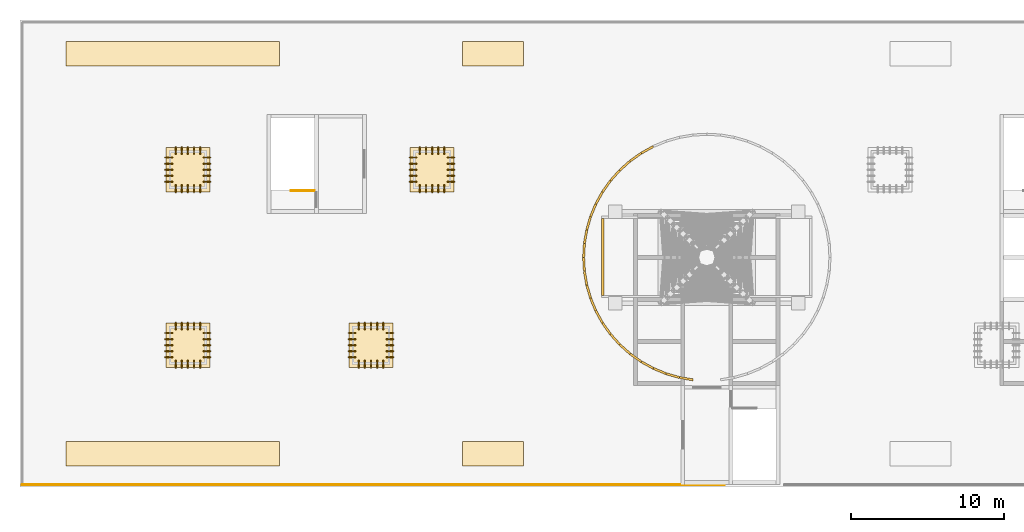
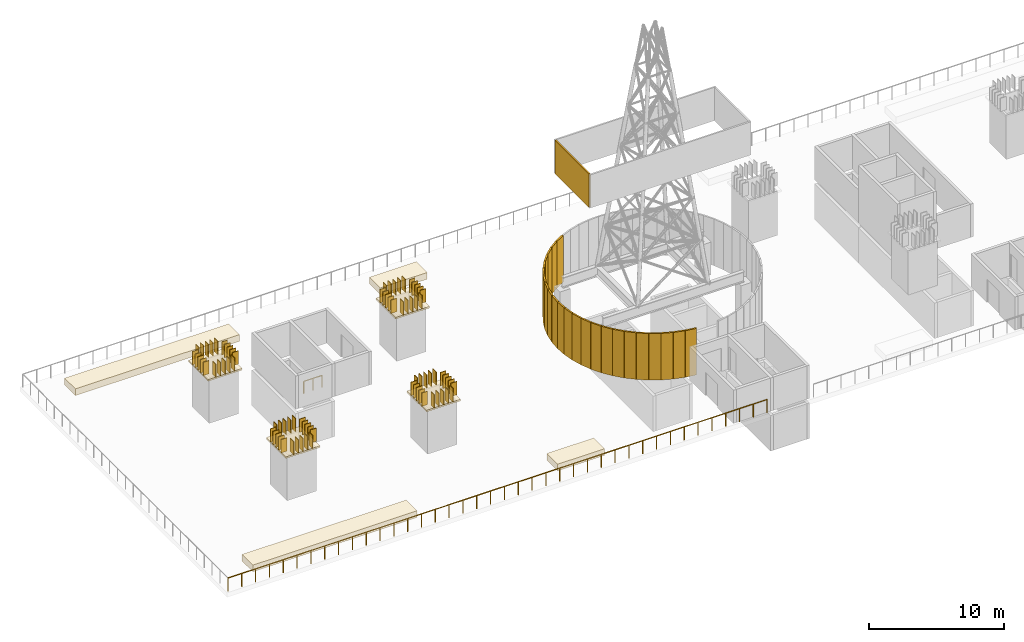
# One storey, part 6 of 8: 112 coverings, 2 railings.
"""IFC4 building model written with IfcOpenShell, lengths in metres."""

from ifc_helpers import new_model, si_unit, direction, frame, origin, origin_2d, place, context, subcontext, project, spatial, polyline, rectangle, circle, outline, extrude, material, layer, layer_set, type_object, element, save


model = new_model("IFC4")

# Units and contexts
model_context = context("Model", 3, precision=1e-05, world=origin(), true_north=direction((0.0, 1.0)))
body_context = subcontext(model_context, "Body", "Model", "MODEL_VIEW")
ifc_project = project(units=[si_unit("LENGTHUNIT", "METRE"), si_unit("AREAUNIT", "SQUARE_METRE"), si_unit("VOLUMEUNIT", "CUBIC_METRE"), si_unit("PLANEANGLEUNIT", "RADIAN"), si_unit("MASSUNIT", "GRAM", prefix="KILO")], contexts=[model_context])

# Site, building, storey
site_placement = place(None, origin())
site = spatial("IfcSite", under=ifc_project, at=site_placement, CompositionType="ELEMENT")
building_placement = place(site_placement, origin())
building = spatial("IfcBuilding", under=site, at=building_placement, Name="Mahtab Terrace Research Tower", CompositionType="ELEMENT")
storey_placement = place(building_placement, frame((0.0, 0.0, 289.699951171875)))
storey = spatial("IfcBuildingStorey", under=building, at=storey_placement, Name="L70", CompositionType="ELEMENT", Elevation=289.699951171875)

# Coverings
ifc_material_1 = material(Name="Badgir blade aluminium", Category="aluminium")
ifc_layer_1 = layer(ifc_material_1, 0.06005859375)
ifc_layer_set_1 = layer_set([ifc_layer_1], Name="Badgir cap blade 60")
covering_type_1 = type_object("IfcCoveringType", Name="Badgir cap blade 60", PredefinedType="CLADDING", material=ifc_layer_set_1)
for number, where, z_axis, x_axis, name in (
    (1, (-32.75, -0.800048828125, 4.14990234375), (0.0, 0.0, 1.0), (1.0, 0.0, 0.0), "Badgir cap blade 1"),
    (2, (-32.75, -0.39990234375, 4.14990234375), (0.0, 0.0, 1.0), (1.0, 0.0, 0.0), "Badgir cap blade 1"),
    (3, (-32.75, 0.0, 4.14990234375), (0.0, 0.0, 1.0), (1.0, 0.0, 0.0), "Badgir cap blade 1"),
    (4, (-32.75, 0.39990234375, 4.14990234375), (0.0, 0.0, 1.0), (1.0, 0.0, 0.0), "Badgir cap blade 1"),
    (5, (-32.75, 0.800048828125, 4.14990234375), (0.0, 0.0, 1.0), (1.0, 0.0, 0.0), "Badgir cap blade 1"),
    (6, (-35.25, -0.800048828125, 4.14990234375), (0.0, 0.0, 1.0), (1.0, 0.0, 0.0), "Badgir cap blade 1"),
    (7, (-35.25, -0.39990234375, 4.14990234375), (0.0, 0.0, 1.0), (1.0, 0.0, 0.0), "Badgir cap blade 1"),
    (8, (-35.25, 0.0, 4.14990234375), (0.0, 0.0, 1.0), (1.0, 0.0, 0.0), "Badgir cap blade 1"),
    (9, (-35.25, 0.39990234375, 4.14990234375), (0.0, 0.0, 1.0), (1.0, 0.0, 0.0), "Badgir cap blade 1"),
    (10, (-35.25, 0.800048828125, 4.14990234375), (0.0, 0.0, 1.0), (1.0, 0.0, 0.0), "Badgir cap blade 1"),
):
    element("IfcCovering", number, at=place(storey_placement, frame(where, z_axis=z_axis, x_axis=x_axis)), inside=storey, type_object=covering_type_1, Name=name, PredefinedType="CLADDING", context=body_context, shape_type="SweptSolid", body=[
        extrude(rectangle(XDim=0.5, YDim=0.06005859375, at=origin_2d()), origin(), (0.0, 0.0, 1.0), 1.199951171875),
    ])
for number, where, z_axis, x_axis, name in (
    (11, (-34.800048828125, 1.25, 4.14990234375), (0.0, 0.0, 1.0), (1.0, 0.0, 0.0), "Badgir cap blade 1"),
    (12, (-34.39990234375, 1.25, 4.14990234375), (0.0, 0.0, 1.0), (1.0, 0.0, 0.0), "Badgir cap blade 1"),
    (13, (-34.0, 1.25, 4.14990234375), (0.0, 0.0, 1.0), (1.0, 0.0, 0.0), "Badgir cap blade 1"),
    (14, (-33.60009765625, 1.25, 4.14990234375), (0.0, 0.0, 1.0), (1.0, 0.0, 0.0), "Badgir cap blade 1"),
    (15, (-33.199951171875, 1.25, 4.14990234375), (0.0, 0.0, 1.0), (1.0, 0.0, 0.0), "Badgir cap blade 1"),
    (16, (-34.800048828125, -1.25, 4.14990234375), (0.0, 0.0, 1.0), (1.0, 0.0, 0.0), "Badgir cap blade 1"),
    (17, (-34.39990234375, -1.25, 4.14990234375), (0.0, 0.0, 1.0), (1.0, 0.0, 0.0), "Badgir cap blade 1"),
    (18, (-34.0, -1.25, 4.14990234375), (0.0, 0.0, 1.0), (1.0, 0.0, 0.0), "Badgir cap blade 1"),
    (19, (-33.60009765625, -1.25, 4.14990234375), (0.0, 0.0, 1.0), (1.0, 0.0, 0.0), "Badgir cap blade 1"),
    (20, (-33.199951171875, -1.25, 4.14990234375), (0.0, 0.0, 1.0), (1.0, 0.0, 0.0), "Badgir cap blade 1"),
):
    element("IfcCovering", number, at=place(storey_placement, frame(where, z_axis=z_axis, x_axis=x_axis)), inside=storey, type_object=covering_type_1, Name=name, PredefinedType="CLADDING", context=body_context, shape_type="SweptSolid", body=[
        extrude(rectangle(XDim=0.06005859375, YDim=0.5, at=origin_2d()), origin(), (0.0, 0.0, 1.0), 1.199951171875),
    ])
for number, where, z_axis, x_axis, name in (
    (21, (-32.75, 10.699951171875, 4.14990234375), (0.0, 0.0, 1.0), (1.0, 0.0, 0.0), "Badgir cap blade 2"),
    (22, (-32.75, 11.10009765625, 4.14990234375), (0.0, 0.0, 1.0), (1.0, 0.0, 0.0), "Badgir cap blade 2"),
    (23, (-32.75, 11.5, 4.14990234375), (0.0, 0.0, 1.0), (1.0, 0.0, 0.0), "Badgir cap blade 2"),
    (24, (-32.75, 11.89990234375, 4.14990234375), (0.0, 0.0, 1.0), (1.0, 0.0, 0.0), "Badgir cap blade 2"),
    (25, (-32.75, 12.300048828125, 4.14990234375), (0.0, 0.0, 1.0), (1.0, 0.0, 0.0), "Badgir cap blade 2"),
    (26, (-35.25, 10.699951171875, 4.14990234375), (0.0, 0.0, 1.0), (1.0, 0.0, 0.0), "Badgir cap blade 2"),
    (27, (-35.25, 11.10009765625, 4.14990234375), (0.0, 0.0, 1.0), (1.0, 0.0, 0.0), "Badgir cap blade 2"),
    (28, (-35.25, 11.5, 4.14990234375), (0.0, 0.0, 1.0), (1.0, 0.0, 0.0), "Badgir cap blade 2"),
    (29, (-35.25, 11.89990234375, 4.14990234375), (0.0, 0.0, 1.0), (1.0, 0.0, 0.0), "Badgir cap blade 2"),
    (30, (-35.25, 12.300048828125, 4.14990234375), (0.0, 0.0, 1.0), (1.0, 0.0, 0.0), "Badgir cap blade 2"),
):
    element("IfcCovering", number, at=place(storey_placement, frame(where, z_axis=z_axis, x_axis=x_axis)), inside=storey, type_object=covering_type_1, Name=name, PredefinedType="CLADDING", context=body_context, shape_type="SweptSolid", body=[
        extrude(rectangle(XDim=0.5, YDim=0.06005859375, at=origin_2d()), origin(), (0.0, 0.0, 1.0), 1.199951171875),
    ])
for number, where, z_axis, x_axis, name in (
    (31, (-34.800048828125, 12.75, 4.14990234375), (0.0, 0.0, 1.0), (1.0, 0.0, 0.0), "Badgir cap blade 2"),
    (32, (-34.39990234375, 12.75, 4.14990234375), (0.0, 0.0, 1.0), (1.0, 0.0, 0.0), "Badgir cap blade 2"),
    (33, (-34.0, 12.75, 4.14990234375), (0.0, 0.0, 1.0), (1.0, 0.0, 0.0), "Badgir cap blade 2"),
    (34, (-33.60009765625, 12.75, 4.14990234375), (0.0, 0.0, 1.0), (1.0, 0.0, 0.0), "Badgir cap blade 2"),
    (35, (-33.199951171875, 12.75, 4.14990234375), (0.0, 0.0, 1.0), (1.0, 0.0, 0.0), "Badgir cap blade 2"),
    (36, (-34.800048828125, 10.25, 4.14990234375), (0.0, 0.0, 1.0), (1.0, 0.0, 0.0), "Badgir cap blade 2"),
    (37, (-34.39990234375, 10.25, 4.14990234375), (0.0, 0.0, 1.0), (1.0, 0.0, 0.0), "Badgir cap blade 2"),
    (38, (-34.0, 10.25, 4.14990234375), (0.0, 0.0, 1.0), (1.0, 0.0, 0.0), "Badgir cap blade 2"),
    (39, (-33.60009765625, 10.25, 4.14990234375), (0.0, 0.0, 1.0), (1.0, 0.0, 0.0), "Badgir cap blade 2"),
    (40, (-33.199951171875, 10.25, 4.14990234375), (0.0, 0.0, 1.0), (1.0, 0.0, 0.0), "Badgir cap blade 2"),
):
    element("IfcCovering", number, at=place(storey_placement, frame(where, z_axis=z_axis, x_axis=x_axis)), inside=storey, type_object=covering_type_1, Name=name, PredefinedType="CLADDING", context=body_context, shape_type="SweptSolid", body=[
        extrude(rectangle(XDim=0.06005859375, YDim=0.5, at=origin_2d()), origin(), (0.0, 0.0, 1.0), 1.199951171875),
    ])
for number, where, z_axis, x_axis, name in (
    (41, (-20.75, -0.800048828125, 4.14990234375), (0.0, 0.0, 1.0), (1.0, 0.0, 0.0), "Badgir cap blade 3"),
    (42, (-20.75, -0.39990234375, 4.14990234375), (0.0, 0.0, 1.0), (1.0, 0.0, 0.0), "Badgir cap blade 3"),
    (43, (-20.75, 0.0, 4.14990234375), (0.0, 0.0, 1.0), (1.0, 0.0, 0.0), "Badgir cap blade 3"),
    (44, (-20.75, 0.39990234375, 4.14990234375), (0.0, 0.0, 1.0), (1.0, 0.0, 0.0), "Badgir cap blade 3"),
    (45, (-20.75, 0.800048828125, 4.14990234375), (0.0, 0.0, 1.0), (1.0, 0.0, 0.0), "Badgir cap blade 3"),
    (46, (-23.25, -0.800048828125, 4.14990234375), (0.0, 0.0, 1.0), (1.0, 0.0, 0.0), "Badgir cap blade 3"),
    (47, (-23.25, -0.39990234375, 4.14990234375), (0.0, 0.0, 1.0), (1.0, 0.0, 0.0), "Badgir cap blade 3"),
    (48, (-23.25, 0.0, 4.14990234375), (0.0, 0.0, 1.0), (1.0, 0.0, 0.0), "Badgir cap blade 3"),
    (49, (-23.25, 0.39990234375, 4.14990234375), (0.0, 0.0, 1.0), (1.0, 0.0, 0.0), "Badgir cap blade 3"),
    (50, (-23.25, 0.800048828125, 4.14990234375), (0.0, 0.0, 1.0), (1.0, 0.0, 0.0), "Badgir cap blade 3"),
):
    element("IfcCovering", number, at=place(storey_placement, frame(where, z_axis=z_axis, x_axis=x_axis)), inside=storey, type_object=covering_type_1, Name=name, PredefinedType="CLADDING", context=body_context, shape_type="SweptSolid", body=[
        extrude(rectangle(XDim=0.5, YDim=0.06005859375, at=origin_2d()), origin(), (0.0, 0.0, 1.0), 1.199951171875),
    ])
for number, where, z_axis, x_axis, name in (
    (51, (-22.800048828125, 1.25, 4.14990234375), (0.0, 0.0, 1.0), (1.0, 0.0, 0.0), "Badgir cap blade 3"),
    (52, (-22.39990234375, 1.25, 4.14990234375), (0.0, 0.0, 1.0), (1.0, 0.0, 0.0), "Badgir cap blade 3"),
    (53, (-22.0, 1.25, 4.14990234375), (0.0, 0.0, 1.0), (1.0, 0.0, 0.0), "Badgir cap blade 3"),
    (54, (-21.60009765625, 1.25, 4.14990234375), (0.0, 0.0, 1.0), (1.0, 0.0, 0.0), "Badgir cap blade 3"),
    (55, (-21.199951171875, 1.25, 4.14990234375), (0.0, 0.0, 1.0), (1.0, 0.0, 0.0), "Badgir cap blade 3"),
    (56, (-22.800048828125, -1.25, 4.14990234375), (0.0, 0.0, 1.0), (1.0, 0.0, 0.0), "Badgir cap blade 3"),
    (57, (-22.39990234375, -1.25, 4.14990234375), (0.0, 0.0, 1.0), (1.0, 0.0, 0.0), "Badgir cap blade 3"),
    (58, (-22.0, -1.25, 4.14990234375), (0.0, 0.0, 1.0), (1.0, 0.0, 0.0), "Badgir cap blade 3"),
    (59, (-21.60009765625, -1.25, 4.14990234375), (0.0, 0.0, 1.0), (1.0, 0.0, 0.0), "Badgir cap blade 3"),
    (60, (-21.199951171875, -1.25, 4.14990234375), (0.0, 0.0, 1.0), (1.0, 0.0, 0.0), "Badgir cap blade 3"),
):
    element("IfcCovering", number, at=place(storey_placement, frame(where, z_axis=z_axis, x_axis=x_axis)), inside=storey, type_object=covering_type_1, Name=name, PredefinedType="CLADDING", context=body_context, shape_type="SweptSolid", body=[
        extrude(rectangle(XDim=0.06005859375, YDim=0.5, at=origin_2d()), origin(), (0.0, 0.0, 1.0), 1.199951171875),
    ])
for number, where, z_axis, x_axis, name in (
    (61, (-16.75, 10.699951171875, 4.14990234375), (0.0, 0.0, 1.0), (1.0, 0.0, 0.0), "Badgir cap blade 4"),
    (62, (-16.75, 11.10009765625, 4.14990234375), (0.0, 0.0, 1.0), (1.0, 0.0, 0.0), "Badgir cap blade 4"),
    (63, (-16.75, 11.5, 4.14990234375), (0.0, 0.0, 1.0), (1.0, 0.0, 0.0), "Badgir cap blade 4"),
    (64, (-16.75, 11.89990234375, 4.14990234375), (0.0, 0.0, 1.0), (1.0, 0.0, 0.0), "Badgir cap blade 4"),
    (65, (-16.75, 12.300048828125, 4.14990234375), (0.0, 0.0, 1.0), (1.0, 0.0, 0.0), "Badgir cap blade 4"),
    (66, (-19.25, 10.699951171875, 4.14990234375), (0.0, 0.0, 1.0), (1.0, 0.0, 0.0), "Badgir cap blade 4"),
    (67, (-19.25, 11.10009765625, 4.14990234375), (0.0, 0.0, 1.0), (1.0, 0.0, 0.0), "Badgir cap blade 4"),
    (68, (-19.25, 11.5, 4.14990234375), (0.0, 0.0, 1.0), (1.0, 0.0, 0.0), "Badgir cap blade 4"),
    (69, (-19.25, 11.89990234375, 4.14990234375), (0.0, 0.0, 1.0), (1.0, 0.0, 0.0), "Badgir cap blade 4"),
    (70, (-19.25, 12.300048828125, 4.14990234375), (0.0, 0.0, 1.0), (1.0, 0.0, 0.0), "Badgir cap blade 4"),
):
    element("IfcCovering", number, at=place(storey_placement, frame(where, z_axis=z_axis, x_axis=x_axis)), inside=storey, type_object=covering_type_1, Name=name, PredefinedType="CLADDING", context=body_context, shape_type="SweptSolid", body=[
        extrude(rectangle(XDim=0.5, YDim=0.06005859375, at=origin_2d()), origin(), (0.0, 0.0, 1.0), 1.199951171875),
    ])
for number, where, z_axis, x_axis, name in (
    (71, (-18.800048828125, 12.75, 4.14990234375), (0.0, 0.0, 1.0), (1.0, 0.0, 0.0), "Badgir cap blade 4"),
    (72, (-18.39990234375, 12.75, 4.14990234375), (0.0, 0.0, 1.0), (1.0, 0.0, 0.0), "Badgir cap blade 4"),
    (73, (-18.0, 12.75, 4.14990234375), (0.0, 0.0, 1.0), (1.0, 0.0, 0.0), "Badgir cap blade 4"),
    (74, (-17.60009765625, 12.75, 4.14990234375), (0.0, 0.0, 1.0), (1.0, 0.0, 0.0), "Badgir cap blade 4"),
    (75, (-17.199951171875, 12.75, 4.14990234375), (0.0, 0.0, 1.0), (1.0, 0.0, 0.0), "Badgir cap blade 4"),
    (76, (-18.800048828125, 10.25, 4.14990234375), (0.0, 0.0, 1.0), (1.0, 0.0, 0.0), "Badgir cap blade 4"),
    (77, (-18.39990234375, 10.25, 4.14990234375), (0.0, 0.0, 1.0), (1.0, 0.0, 0.0), "Badgir cap blade 4"),
    (78, (-18.0, 10.25, 4.14990234375), (0.0, 0.0, 1.0), (1.0, 0.0, 0.0), "Badgir cap blade 4"),
    (79, (-17.60009765625, 10.25, 4.14990234375), (0.0, 0.0, 1.0), (1.0, 0.0, 0.0), "Badgir cap blade 4"),
    (80, (-17.199951171875, 10.25, 4.14990234375), (0.0, 0.0, 1.0), (1.0, 0.0, 0.0), "Badgir cap blade 4"),
):
    element("IfcCovering", number, at=place(storey_placement, frame(where, z_axis=z_axis, x_axis=x_axis)), inside=storey, type_object=covering_type_1, Name=name, PredefinedType="CLADDING", context=body_context, shape_type="SweptSolid", body=[
        extrude(rectangle(XDim=0.06005859375, YDim=0.5, at=origin_2d()), origin(), (0.0, 0.0, 1.0), 1.199951171875),
    ])
ifc_material_2 = material(Name="Natural anodised aluminium", Category="aluminium")
covering_type_2 = type_object("IfcCoveringType", Name="Plant storey louvre bay", PredefinedType="CLADDING", material=ifc_material_2)
covering_1_placement = place(storey_placement, frame((-6.81396484375, 5.785888671875, 13.800048828125), z_axis=(0.0, 0.0, 1.0), x_axis=(1.0, 0.0, 0.0)))
element("IfcCovering", 81, at=covering_1_placement, inside=storey, type_object=covering_type_2, Name="Finial lantern louvre W", PredefinedType="CLADDING", context=body_context, shape_type="SweptSolid", body=[
    extrude(rectangle(XDim=0.139892578125, YDim=5.0458984375, at=origin_2d()), origin(), (0.0, 0.0, 1.0), 3.0),
])
covering_2_placement = place(storey_placement, frame((-3.8974609375, 12.80224609375, 0.0), z_axis=(0.0, 0.0, 1.0), x_axis=(-0.875154581007, -0.483843424408, 0.0)))
element("IfcCovering", 82, at=covering_2_placement, inside=storey, type_object=covering_type_2, Name="Plant drum louvre 18", PredefinedType="CLADDING", context=body_context, shape_type="SweptSolid", body=[
    extrude(rectangle(XDim=0.89697265625, YDim=0.139892578125, at=origin_2d()), origin(), (0.0, 0.0, 1.0), 4.199951171875),
])
for number, where, z_axis, x_axis, name in (
    (83, (-4.66259765625, 12.321533203125, 0.0), (0.0, 0.0, 1.0), (-0.815761572022, -0.578388327694, 0.0), "Plant drum louvre 19"),
    (84, (-5.369140625, 11.75830078125, 0.0), (0.0, 0.0, 1.0), (-0.74556184383, -0.66643644635, 0.0), "Plant drum louvre 20"),
    (85, (-6.00830078125, 11.119140625, 0.0), (0.0, 0.0, 1.0), (-0.66643644635, -0.74556184383, 0.0), "Plant drum louvre 21"),
    (86, (-6.571533203125, 10.41259765625, 0.0), (0.0, 0.0, 1.0), (-0.578388327694, -0.815761572022, 0.0), "Plant drum louvre 22"),
):
    element("IfcCovering", number, at=place(storey_placement, frame(where, z_axis=z_axis, x_axis=x_axis)), inside=storey, type_object=covering_type_2, Name=name, PredefinedType="CLADDING", context=body_context, shape_type="SweptSolid", body=[
        extrude(rectangle(XDim=0.897216796875, YDim=0.139892578125, at=origin_2d()), origin(), (0.0, 0.0, 1.0), 4.199951171875),
    ])
covering_3_placement = place(storey_placement, frame((-7.05224609375, 9.6474609375, 0.0), z_axis=(0.0, 0.0, 1.0), x_axis=(-0.483843424408, -0.875154581007, 0.0)))
element("IfcCovering", 87, at=covering_3_placement, inside=storey, type_object=covering_type_2, Name="Plant drum louvre 23", PredefinedType="CLADDING", context=body_context, shape_type="SweptSolid", body=[
    extrude(rectangle(XDim=0.89697265625, YDim=0.139892578125, at=origin_2d()), origin(), (0.0, 0.0, 1.0), 4.199951171875),
])
covering_4_placement = place(storey_placement, frame((-7.444091796875, 8.833251953125, 0.0), z_axis=(0.0, 0.0, 1.0), x_axis=(-0.38231897589, -0.92403041112, 0.0)))
element("IfcCovering", 88, at=covering_4_placement, inside=storey, type_object=covering_type_2, Name="Plant drum louvre 24", PredefinedType="CLADDING", context=body_context, shape_type="SweptSolid", body=[
    extrude(rectangle(XDim=0.897216796875, YDim=0.139892578125, at=origin_2d()), origin(), (0.0, 0.0, 1.0), 4.199951171875),
])
covering_5_placement = place(storey_placement, frame((-7.7421875, 7.98046875, 0.0), z_axis=(0.0, 0.0, 1.0), x_axis=(-0.276487626945, -0.961017477545, 0.0)))
element("IfcCovering", 89, at=covering_5_placement, inside=storey, type_object=covering_type_2, Name="Plant drum louvre 25", PredefinedType="CLADDING", context=body_context, shape_type="SweptSolid", body=[
    extrude(rectangle(XDim=0.89697265625, YDim=0.139892578125, at=origin_2d()), origin(), (0.0, 0.0, 1.0), 4.199951171875),
])
covering_6_placement = place(storey_placement, frame((-7.943603515625, 7.099853515625, 0.0), z_axis=(0.0, 0.0, 1.0), x_axis=(-0.168375741964, -0.985722886778, 0.0)))
element("IfcCovering", 90, at=covering_6_placement, inside=storey, type_object=covering_type_2, Name="Plant drum louvre 26", PredefinedType="CLADDING", context=body_context, shape_type="SweptSolid", body=[
    extrude(rectangle(XDim=0.896728515625, YDim=0.139892578125, at=origin_2d()), origin(), (0.0, 0.0, 1.0), 4.199951171875),
])
for number, where, z_axis, x_axis, name in (
    (91, (-8.044921875, 6.201904296875, 0.0), (0.0, 0.0, 1.0), (-0.055716886596, -0.99844660776, 0.0), "Plant drum louvre 27"),
    (92, (-8.044921875, 5.298095703125, 0.0), (0.0, 0.0, 1.0), (0.055716886596, -0.99844660776, 0.0), "Plant drum louvre 28"),
):
    element("IfcCovering", number, at=place(storey_placement, frame(where, z_axis=z_axis, x_axis=x_axis)), inside=storey, type_object=covering_type_2, Name=name, PredefinedType="CLADDING", context=body_context, shape_type="SweptSolid", body=[
        extrude(rectangle(XDim=0.8974609375, YDim=0.139892578125, at=origin_2d()), origin(), (0.0, 0.0, 1.0), 4.199951171875),
    ])
covering_7_placement = place(storey_placement, frame((-7.943603515625, 4.400146484375, 0.0), z_axis=(0.0, 0.0, 1.0), x_axis=(0.168375741964, -0.985722886778, 0.0)))
element("IfcCovering", 93, at=covering_7_placement, inside=storey, type_object=covering_type_2, Name="Plant drum louvre 29", PredefinedType="CLADDING", context=body_context, shape_type="SweptSolid", body=[
    extrude(rectangle(XDim=0.896728515625, YDim=0.139892578125, at=origin_2d()), origin(), (0.0, 0.0, 1.0), 4.199951171875),
])
covering_8_placement = place(storey_placement, frame((-7.7421875, 3.51953125, 0.0), z_axis=(0.0, 0.0, 1.0), x_axis=(0.276487626945, -0.961017477545, 0.0)))
element("IfcCovering", 94, at=covering_8_placement, inside=storey, type_object=covering_type_2, Name="Plant drum louvre 30", PredefinedType="CLADDING", context=body_context, shape_type="SweptSolid", body=[
    extrude(rectangle(XDim=0.89697265625, YDim=0.139892578125, at=origin_2d()), origin(), (0.0, 0.0, 1.0), 4.199951171875),
])
covering_9_placement = place(storey_placement, frame((-7.444091796875, 2.666748046875, 0.0), z_axis=(0.0, 0.0, 1.0), x_axis=(0.38231897589, -0.92403041112, 0.0)))
element("IfcCovering", 95, at=covering_9_placement, inside=storey, type_object=covering_type_2, Name="Plant drum louvre 31", PredefinedType="CLADDING", context=body_context, shape_type="SweptSolid", body=[
    extrude(rectangle(XDim=0.897216796875, YDim=0.139892578125, at=origin_2d()), origin(), (0.0, 0.0, 1.0), 4.199951171875),
])
covering_10_placement = place(storey_placement, frame((-7.05224609375, 1.8525390625, 0.0), z_axis=(0.0, 0.0, 1.0), x_axis=(0.483843424408, -0.875154581007, 0.0)))
element("IfcCovering", 96, at=covering_10_placement, inside=storey, type_object=covering_type_2, Name="Plant drum louvre 32", PredefinedType="CLADDING", context=body_context, shape_type="SweptSolid", body=[
    extrude(rectangle(XDim=0.89697265625, YDim=0.139892578125, at=origin_2d()), origin(), (0.0, 0.0, 1.0), 4.199951171875),
])
for number, where, z_axis, x_axis, name in (
    (97, (-6.571533203125, 1.08740234375, 0.0), (0.0, 0.0, 1.0), (0.578388327694, -0.815761572022, 0.0), "Plant drum louvre 33"),
    (98, (-6.00830078125, 0.380859375, 0.0), (0.0, 0.0, 1.0), (0.66643644635, -0.74556184383, 0.0), "Plant drum louvre 34"),
    (99, (-5.369140625, -0.25830078125, 0.0), (0.0, 0.0, 1.0), (0.74556184383, -0.66643644635, 0.0), "Plant drum louvre 35"),
    (100, (-4.66259765625, -0.821533203125, 0.0), (0.0, 0.0, 1.0), (0.815761572022, -0.578388327694, 0.0), "Plant drum louvre 36"),
):
    element("IfcCovering", number, at=place(storey_placement, frame(where, z_axis=z_axis, x_axis=x_axis)), inside=storey, type_object=covering_type_2, Name=name, PredefinedType="CLADDING", context=body_context, shape_type="SweptSolid", body=[
        extrude(rectangle(XDim=0.897216796875, YDim=0.139892578125, at=origin_2d()), origin(), (0.0, 0.0, 1.0), 4.199951171875),
    ])
covering_11_placement = place(storey_placement, frame((-3.8974609375, -1.30224609375, 0.0), z_axis=(0.0, 0.0, 1.0), x_axis=(0.875154581007, -0.483843424408, 0.0)))
element("IfcCovering", 101, at=covering_11_placement, inside=storey, type_object=covering_type_2, Name="Plant drum louvre 37", PredefinedType="CLADDING", context=body_context, shape_type="SweptSolid", body=[
    extrude(rectangle(XDim=0.89697265625, YDim=0.139892578125, at=origin_2d()), origin(), (0.0, 0.0, 1.0), 4.199951171875),
])
covering_12_placement = place(storey_placement, frame((-3.083251953125, -1.694091796875, 0.0), z_axis=(0.0, 0.0, 1.0), x_axis=(0.92403041112, -0.38231897589, 0.0)))
element("IfcCovering", 102, at=covering_12_placement, inside=storey, type_object=covering_type_2, Name="Plant drum louvre 38", PredefinedType="CLADDING", context=body_context, shape_type="SweptSolid", body=[
    extrude(rectangle(XDim=0.897216796875, YDim=0.139892578125, at=origin_2d()), origin(), (0.0, 0.0, 1.0), 4.199951171875),
])
covering_13_placement = place(storey_placement, frame((-2.23046875, -1.9921875, 0.0), z_axis=(0.0, 0.0, 1.0), x_axis=(0.961017477545, -0.276487626945, 0.0)))
element("IfcCovering", 103, at=covering_13_placement, inside=storey, type_object=covering_type_2, Name="Plant drum louvre 39", PredefinedType="CLADDING", context=body_context, shape_type="SweptSolid", body=[
    extrude(rectangle(XDim=0.89697265625, YDim=0.139892578125, at=origin_2d()), origin(), (0.0, 0.0, 1.0), 4.199951171875),
])
covering_14_placement = place(storey_placement, frame((-1.349853515625, -2.193603515625, 0.0), z_axis=(0.0, 0.0, 1.0), x_axis=(0.985722886778, -0.168375741964, 0.0)))
element("IfcCovering", 104, at=covering_14_placement, inside=storey, type_object=covering_type_2, Name="Plant drum louvre 40", PredefinedType="CLADDING", context=body_context, shape_type="SweptSolid", body=[
    extrude(rectangle(XDim=0.896728515625, YDim=0.139892578125, at=origin_2d()), origin(), (0.0, 0.0, 1.0), 4.199951171875),
])
covering_15_placement = place(storey_placement, frame((0.0, 0.0, 4.0)))
element("IfcCovering", 105, at=covering_15_placement, inside=storey, type_object=covering_type_2, Name="Badgir stack louvre cap 1", PredefinedType="CLADDING", context=body_context, shape_type="SweptSolid", body=[
    extrude(outline(polyline([(-32.550048828125, -1.449951171875), (-32.550048828125, 1.449951171875), (-35.449951171875, 1.449951171875), (-35.449951171875, -1.449951171875), (-32.550048828125, -1.449951171875)])), origin(), (0.0, 0.0, 1.0), 0.150146484375),
])
covering_16_placement = place(storey_placement, frame((0.0, 0.0, 4.0)))
element("IfcCovering", 106, at=covering_16_placement, inside=storey, type_object=covering_type_2, Name="Badgir stack louvre cap 2", PredefinedType="CLADDING", context=body_context, shape_type="SweptSolid", body=[
    extrude(outline(polyline([(-32.550048828125, 10.050048828125), (-32.550048828125, 12.949951171875), (-35.449951171875, 12.949951171875), (-35.449951171875, 10.050048828125), (-32.550048828125, 10.050048828125)])), origin(), (0.0, 0.0, 1.0), 0.150146484375),
])
covering_17_placement = place(storey_placement, frame((0.0, 0.0, 4.0)))
element("IfcCovering", 107, at=covering_17_placement, inside=storey, type_object=covering_type_2, Name="Badgir stack louvre cap 3", PredefinedType="CLADDING", context=body_context, shape_type="SweptSolid", body=[
    extrude(outline(polyline([(-20.550048828125, -1.449951171875), (-20.550048828125, 1.449951171875), (-23.449951171875, 1.449951171875), (-23.449951171875, -1.449951171875), (-20.550048828125, -1.449951171875)])), origin(), (0.0, 0.0, 1.0), 0.150146484375),
])
covering_18_placement = place(storey_placement, frame((0.0, 0.0, 4.0)))
element("IfcCovering", 108, at=covering_18_placement, inside=storey, type_object=covering_type_2, Name="Badgir stack louvre cap 4", PredefinedType="CLADDING", context=body_context, shape_type="SweptSolid", body=[
    extrude(outline(polyline([(-16.550048828125, 10.050048828125), (-16.550048828125, 12.949951171875), (-19.449951171875, 12.949951171875), (-19.449951171875, 10.050048828125), (-16.550048828125, 10.050048828125)])), origin(), (0.0, 0.0, 1.0), 0.150146484375),
])
ifc_material_3 = material(Name="Planting soil and shrubs")
ifc_layer_2 = layer(ifc_material_3, 0.1201171875)
ifc_layer_set_2 = layer_set([ifc_layer_2], Name="Planter")
covering_type_3 = type_object("IfcCoveringType", Name="Planter", PredefinedType="USERDEFINED", material=ifc_layer_set_2)
covering_19_placement = place(storey_placement, frame((-35.0, -7.10693359375, 0.0), z_axis=(0.0, 0.0, 1.0), x_axis=(1.0, 0.0, 0.0)))
element("IfcCovering", 109, at=covering_19_placement, inside=storey, type_object=covering_type_3, Name="PLANTER roof strip", ObjectType="PLANTER", PredefinedType="USERDEFINED", context=body_context, shape_type="SweptSolid", body=[
    extrude(rectangle(XDim=14.0, YDim=1.60009765625, at=origin_2d()), origin(), (0.0, 0.0, 1.0), 0.60009765625),
])
covering_20_placement = place(storey_placement, frame((-14.0, -7.10693359375, 0.0), z_axis=(0.0, 0.0, 1.0), x_axis=(1.0, 0.0, 0.0)))
element("IfcCovering", 110, at=covering_20_placement, inside=storey, type_object=covering_type_3, Name="PLANTER roof strip", ObjectType="PLANTER", PredefinedType="USERDEFINED", context=body_context, shape_type="SweptSolid", body=[
    extrude(rectangle(XDim=4.0, YDim=1.60009765625, at=origin_2d()), origin(), (0.0, 0.0, 1.0), 0.60009765625),
])
covering_21_placement = place(storey_placement, frame((-35.0, 19.10693359375, 0.0), z_axis=(0.0, 0.0, 1.0), x_axis=(1.0, 0.0, 0.0)))
element("IfcCovering", 111, at=covering_21_placement, inside=storey, type_object=covering_type_3, Name="PLANTER roof strip", ObjectType="PLANTER", PredefinedType="USERDEFINED", context=body_context, shape_type="SweptSolid", body=[
    extrude(rectangle(XDim=14.0, YDim=1.60009765625, at=origin_2d()), origin(), (0.0, 0.0, 1.0), 0.60009765625),
])
covering_22_placement = place(storey_placement, frame((-14.0, 19.10693359375, 0.0), z_axis=(0.0, 0.0, 1.0), x_axis=(1.0, 0.0, 0.0)))
element("IfcCovering", 112, at=covering_22_placement, inside=storey, type_object=covering_type_3, Name="PLANTER roof strip", ObjectType="PLANTER", PredefinedType="USERDEFINED", context=body_context, shape_type="SweptSolid", body=[
    extrude(rectangle(XDim=4.0, YDim=1.60009765625, at=origin_2d()), origin(), (0.0, 0.0, 1.0), 0.60009765625),
])

# Railings
ifc_material_4 = material(Name="Stainless steel AISI 304", Category="steel")
railing_type_1 = type_object("IfcRailingType", Name="Stair guard 1100", PredefinedType="GUARDRAIL", material=ifc_material_4)
railing_1_placement = place(storey_placement, frame((-25.699951171875, 10.125, 0.0)))
element("IfcRailing", 113, at=railing_1_placement, inside=storey, type_object=railing_type_1, Name="L70 ST1 top well guard 1", PredefinedType="GUARDRAIL", context=body_context, shape_type="SweptSolid", body=[
    extrude(circle(Radius=0.02392578125, at=origin_2d()), frame((0.0, 0.0, 1.076171875), z_axis=(-1.0, 0.0, 0.0), x_axis=(0.0, -1.0, 0.0)), (0.0, 0.0, 1.0), 1.550048828125),
    extrude(circle(Radius=0.02099609375, at=origin_2d()), origin(), (0.0, 0.0, 1.0), 1.052001953125),
    extrude(circle(Radius=0.02099609375, at=origin_2d()), frame((-0.77490234375, 0.0, 0.0)), (0.0, 0.0, 1.0), 1.052001953125),
    extrude(circle(Radius=0.02099609375, at=origin_2d()), frame((-1.550048828125, 0.0, 0.0)), (0.0, 0.0, 1.0), 1.052001953125),
])
ifc_material_5 = material(Name="Black anodised aluminium", Category="aluminium")
railing_type_2 = type_object("IfcRailingType", Name="Terrace guard 1200", PredefinedType="GUARDRAIL", material=ifc_material_5)
railing_2_placement = place(storey_placement, frame((-44.85009765625, -9.156982421875, 0.030029296875)))
element("IfcRailing", 114, at=railing_2_placement, inside=storey, type_object=railing_type_2, Name="Plateau edge guard 1", PredefinedType="GUARDRAIL", context=body_context, shape_type="SweptSolid", body=[
    extrude(circle(Radius=0.030029296875, at=origin_2d()), frame((0.0, 0.0, 1.169921875), z_axis=(1.0, 0.0, 0.0), x_axis=(0.0, 1.0, 0.0)), (0.0, 0.0, 1.0), 46.002197265625),
    extrude(circle(Radius=0.02490234375, at=origin_2d()), origin(), (0.0, 0.0, 1.0), 1.139892578125),
    extrude(circle(Radius=0.02490234375, at=origin_2d()), frame((1.179443359375, 0.0, 0.0)), (0.0, 0.0, 1.0), 1.139892578125),
    extrude(circle(Radius=0.02490234375, at=origin_2d()), frame((2.359130859375, 0.0, 0.0)), (0.0, 0.0, 1.0), 1.139892578125),
    extrude(circle(Radius=0.02490234375, at=origin_2d()), frame((3.53857421875, 0.0, 0.0)), (0.0, 0.0, 1.0), 1.139892578125),
    extrude(circle(Radius=0.02490234375, at=origin_2d()), frame((4.71826171875, 0.0, 0.0)), (0.0, 0.0, 1.0), 1.139892578125),
    extrude(circle(Radius=0.02490234375, at=origin_2d()), frame((5.897705078125, 0.0, 0.0)), (0.0, 0.0, 1.0), 1.139892578125),
    extrude(circle(Radius=0.02490234375, at=origin_2d()), frame((7.0771484375, 0.0, 0.0)), (0.0, 0.0, 1.0), 1.139892578125),
    extrude(circle(Radius=0.02490234375, at=origin_2d()), frame((8.2568359375, 0.0, 0.0)), (0.0, 0.0, 1.0), 1.139892578125),
    extrude(circle(Radius=0.02490234375, at=origin_2d()), frame((9.436279296875, 0.0, 0.0)), (0.0, 0.0, 1.0), 1.139892578125),
    extrude(circle(Radius=0.02490234375, at=origin_2d()), frame((10.615966796875, 0.0, 0.0)), (0.0, 0.0, 1.0), 1.139892578125),
    extrude(circle(Radius=0.02490234375, at=origin_2d()), frame((11.79541015625, 0.0, 0.0)), (0.0, 0.0, 1.0), 1.139892578125),
    extrude(circle(Radius=0.02490234375, at=origin_2d()), frame((12.97509765625, 0.0, 0.0)), (0.0, 0.0, 1.0), 1.139892578125),
    extrude(circle(Radius=0.02490234375, at=origin_2d()), frame((14.154541015625, 0.0, 0.0)), (0.0, 0.0, 1.0), 1.139892578125),
    extrude(circle(Radius=0.02490234375, at=origin_2d()), frame((15.333984375, 0.0, 0.0)), (0.0, 0.0, 1.0), 1.139892578125),
    extrude(circle(Radius=0.02490234375, at=origin_2d()), frame((16.513671875, 0.0, 0.0)), (0.0, 0.0, 1.0), 1.139892578125),
    extrude(circle(Radius=0.02490234375, at=origin_2d()), frame((17.693115234375, 0.0, 0.0)), (0.0, 0.0, 1.0), 1.139892578125),
    extrude(circle(Radius=0.02490234375, at=origin_2d()), frame((18.872802734375, 0.0, 0.0)), (0.0, 0.0, 1.0), 1.139892578125),
    extrude(circle(Radius=0.02490234375, at=origin_2d()), frame((20.05224609375, 0.0, 0.0)), (0.0, 0.0, 1.0), 1.139892578125),
    extrude(circle(Radius=0.02490234375, at=origin_2d()), frame((21.231689453125, 0.0, 0.0)), (0.0, 0.0, 1.0), 1.139892578125),
    extrude(circle(Radius=0.02490234375, at=origin_2d()), frame((22.411376953125, 0.0, 0.0)), (0.0, 0.0, 1.0), 1.139892578125),
    extrude(circle(Radius=0.02490234375, at=origin_2d()), frame((23.5908203125, 0.0, 0.0)), (0.0, 0.0, 1.0), 1.139892578125),
    extrude(circle(Radius=0.02490234375, at=origin_2d()), frame((24.7705078125, 0.0, 0.0)), (0.0, 0.0, 1.0), 1.139892578125),
    extrude(circle(Radius=0.02490234375, at=origin_2d()), frame((25.949951171875, 0.0, 0.0)), (0.0, 0.0, 1.0), 1.139892578125),
    extrude(circle(Radius=0.02490234375, at=origin_2d()), frame((27.12939453125, 0.0, 0.0)), (0.0, 0.0, 1.0), 1.139892578125),
    extrude(circle(Radius=0.02490234375, at=origin_2d()), frame((28.30908203125, 0.0, 0.0)), (0.0, 0.0, 1.0), 1.139892578125),
    extrude(circle(Radius=0.02490234375, at=origin_2d()), frame((29.488525390625, 0.0, 0.0)), (0.0, 0.0, 1.0), 1.139892578125),
    extrude(circle(Radius=0.02490234375, at=origin_2d()), frame((30.668212890625, 0.0, 0.0)), (0.0, 0.0, 1.0), 1.139892578125),
    extrude(circle(Radius=0.02490234375, at=origin_2d()), frame((31.84765625, 0.0, 0.0)), (0.0, 0.0, 1.0), 1.139892578125),
    extrude(circle(Radius=0.02490234375, at=origin_2d()), frame((33.027099609375, 0.0, 0.0)), (0.0, 0.0, 1.0), 1.139892578125),
    extrude(circle(Radius=0.02490234375, at=origin_2d()), frame((34.206787109375, 0.0, 0.0)), (0.0, 0.0, 1.0), 1.139892578125),
    extrude(circle(Radius=0.02490234375, at=origin_2d()), frame((35.38623046875, 0.0, 0.0)), (0.0, 0.0, 1.0), 1.139892578125),
    extrude(circle(Radius=0.02490234375, at=origin_2d()), frame((36.56591796875, 0.0, 0.0)), (0.0, 0.0, 1.0), 1.139892578125),
    extrude(circle(Radius=0.02490234375, at=origin_2d()), frame((37.745361328125, 0.0, 0.0)), (0.0, 0.0, 1.0), 1.139892578125),
    extrude(circle(Radius=0.02490234375, at=origin_2d()), frame((38.925048828125, 0.0, 0.0)), (0.0, 0.0, 1.0), 1.139892578125),
    extrude(circle(Radius=0.02490234375, at=origin_2d()), frame((40.1044921875, 0.0, 0.0)), (0.0, 0.0, 1.0), 1.139892578125),
    extrude(circle(Radius=0.02490234375, at=origin_2d()), frame((41.283935546875, 0.0, 0.0)), (0.0, 0.0, 1.0), 1.139892578125),
    extrude(circle(Radius=0.02490234375, at=origin_2d()), frame((42.463623046875, 0.0, 0.0)), (0.0, 0.0, 1.0), 1.139892578125),
    extrude(circle(Radius=0.02490234375, at=origin_2d()), frame((43.64306640625, 0.0, 0.0)), (0.0, 0.0, 1.0), 1.139892578125),
    extrude(circle(Radius=0.02490234375, at=origin_2d()), frame((44.82275390625, 0.0, 0.0)), (0.0, 0.0, 1.0), 1.139892578125),
    extrude(circle(Radius=0.02490234375, at=origin_2d()), frame((46.002197265625, 0.0, 0.0)), (0.0, 0.0, 1.0), 1.139892578125),
])

save(model, "model.ifc")
